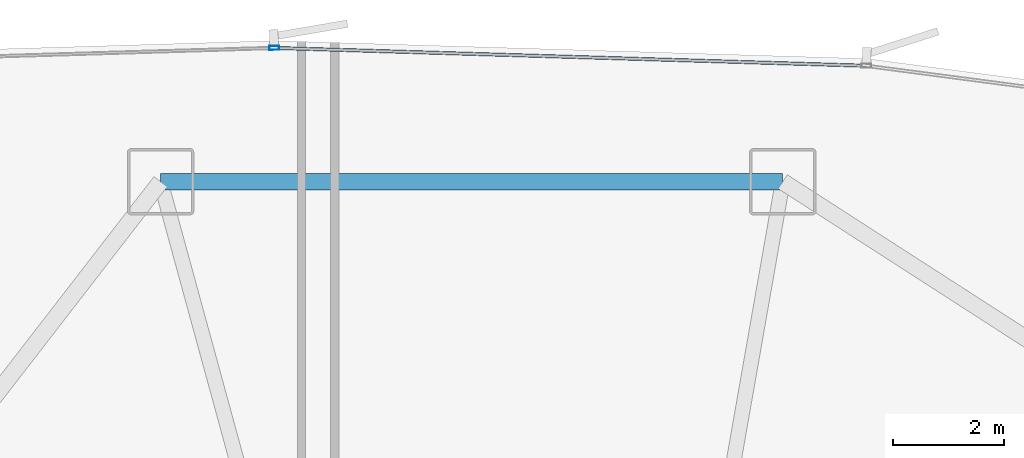
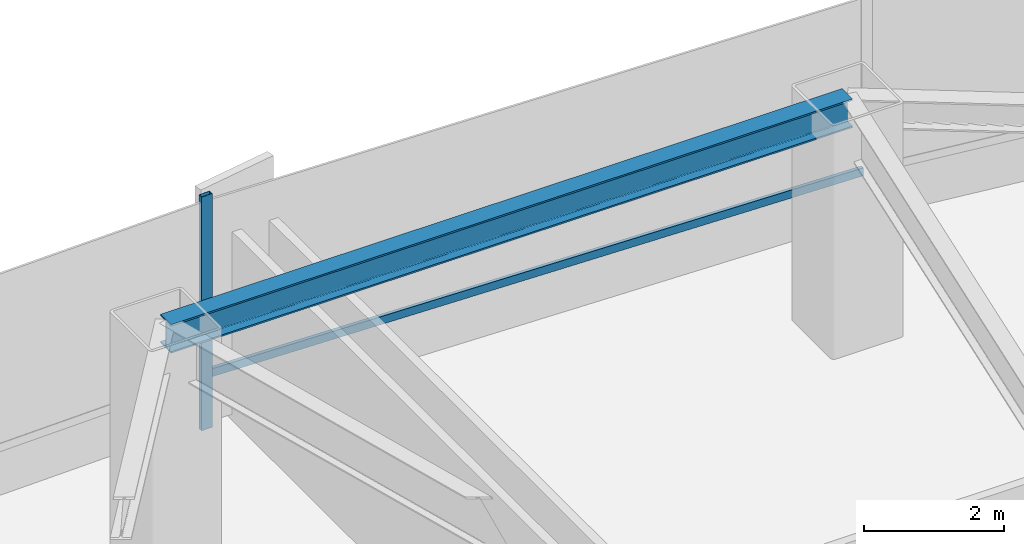
# One storey, part 14 of 34: 2 members, 1 beam, 1 element without a shape of its own.
"""IFC4 building model written with IfcOpenShell, lengths in metres."""

import ifcopenshell
import ifcopenshell.guid

model = None  # the IFC model being written
_history = None  # IfcOwnerHistory: only IFC2X3 demands one
_inside = {}  # id of a spatial element -> (the spatial element, [elements in it])
_under = {}  # id of a project, library or spatial element -> (it, [spatial elements below it])
_declared = {}  # id of a project -> (the project, [libraries it declares])
_typed = {}  # id of a type object -> (the type object, [elements of that type])
_made_of = {}  # id of a material, layer set ... -> (it, [elements and type objects made of it])


def new_model(schema):
    """Start an empty IFC model of exactly this schema.

    Asked for "IFC4X3", IfcOpenShell would pick the latest addendum, in which some entities
    have other attributes; the version numbers below select the first issue.
    IFC2X3 requires an IfcOwnerHistory on every rooted entity: one is made here for all.
    """
    global model, _history
    if schema == "IFC4X3":
        model = ifcopenshell.file(schema_version=(4, 3, 0, 0))
    else:
        model = ifcopenshell.file(schema=schema)
    _inside.clear()
    _under.clear()
    _declared.clear()
    _typed.clear()
    _made_of.clear()
    _history = None
    if model.schema == "IFC2X3":
        org = make("IfcOrganization", Name="unknown")
        user = make(
            "IfcPersonAndOrganization",
            ThePerson=make("IfcPerson", FamilyName="unknown"),
            TheOrganization=org,
        )
        app = make(
            "IfcApplication",
            ApplicationDeveloper=org,
            Version="unknown",
            ApplicationFullName="unknown",
            ApplicationIdentifier="unknown",
        )
        _history = make(
            "IfcOwnerHistory",
            OwningUser=user,
            OwningApplication=app,
            ChangeAction="ADDED",
            CreationDate=0,
        )
    return model


def make(cls, **values):
    """One entity of the class cls with the attributes given. An attribute that is None is left unset."""
    return model.create_entity(
        cls, **{name: value for name, value in values.items() if value is not None}
    )


def rooted(cls, **values):
    """An entity with a GlobalId (a new one), such as an element, a storey or a relation."""
    return make(cls, GlobalId=ifcopenshell.guid.new(), OwnerHistory=_history, **values)


def si_unit(unit_type, name, prefix=None):
    """IfcSIUnit, for example si_unit("LENGTHUNIT", "METRE", prefix="MILLI")."""
    return make("IfcSIUnit", UnitType=unit_type, Prefix=prefix, Name=name)


def assignment(units):
    """IfcUnitAssignment: the units of a project."""
    return None if units is None else make("IfcUnitAssignment", Units=units)


def point(xyz):
    """IfcCartesianPoint."""
    return None if xyz is None else make("IfcCartesianPoint", Coordinates=xyz)


def direction(xyz):
    """IfcDirection."""
    return None if xyz is None else make("IfcDirection", DirectionRatios=xyz)


def frame(location, z_axis=None, x_axis=None):
    """IfcAxis2Placement3D, a coordinate frame: its origin and axes. An axis left out is left unset."""
    return make(
        "IfcAxis2Placement3D",
        Location=point(location),
        Axis=direction(z_axis),
        RefDirection=direction(x_axis),
    )


def frame_2d(location, x_axis=None):
    """IfcAxis2Placement2D, a coordinate frame in the plane: its origin and x axis."""
    return make(
        "IfcAxis2Placement2D", Location=point(location), RefDirection=direction(x_axis)
    )


def origin():
    """The frame at (0, 0, 0) with its axes left unset."""
    return frame((0.0, 0.0, 0.0))


def origin_2d():
    """The frame at (0, 0) in the plane with its x axis left unset."""
    return frame_2d((0.0, 0.0))


def place(relative_to, where):
    """IfcLocalPlacement: puts the frame where relative to a parent placement (None: the world)."""
    return make(
        "IfcLocalPlacement", PlacementRelTo=relative_to, RelativePlacement=where
    )


def context(
    kind, dimensions, precision=None, world=None, true_north=None, identifier=None
):
    """IfcGeometricRepresentationContext, for example the 3D "Model" context."""
    return make(
        "IfcGeometricRepresentationContext",
        ContextIdentifier=identifier,
        ContextType=kind,
        CoordinateSpaceDimension=dimensions,
        Precision=precision,
        WorldCoordinateSystem=world,
        TrueNorth=true_north,
    )


def subcontext(parent, identifier, kind, view, scale=None):
    """IfcGeometricRepresentationSubContext, for example "Body" below "Model"."""
    return make(
        "IfcGeometricRepresentationSubContext",
        ContextIdentifier=identifier,
        ContextType=kind,
        ParentContext=parent,
        TargetScale=scale,
        TargetView=view,
    )


def project(units=None, contexts=None):
    """IfcProject with its units and contexts."""
    return rooted(
        "IfcProject",
        Name="project",
        RepresentationContexts=contexts,
        UnitsInContext=assignment(units),
    )


def spatial(cls, under=None, at=None, **own):
    """A site, building, storey or space (cls), placed at a placement, below another one or the project."""
    s = rooted(cls, ObjectPlacement=at, **own)
    if under is not None:
        _under.setdefault(under.id(), (under, []))[1].append(s)
    return s


def profile(cls, at=None, kind="AREA", **sizes):
    """A parametric profile (cls). Its sizes go by their IFC names, for example OverallWidth=200.0."""
    return make(cls, ProfileType=kind, Position=at, **sizes)


def hollow_rectangle(**sizes):
    """IfcRectangleHollowProfileDef."""
    return profile("IfcRectangleHollowProfileDef", **sizes)


def i_section(**sizes):
    """IfcIShapeProfileDef."""
    return profile("IfcIShapeProfileDef", **sizes)


def extrude(swept, where, along, depth):
    """IfcExtrudedAreaSolid: the profile swept, set in the frame where, extruded along a direction by depth."""
    return make(
        "IfcExtrudedAreaSolid",
        SweptArea=swept,
        Position=where,
        ExtrudedDirection=direction(along),
        Depth=depth,
    )


def shape(context_of_items, identifier, shape_type, items):
    """IfcShapeRepresentation: the items that make up one representation, for example the "Body"."""
    return make(
        "IfcShapeRepresentation",
        ContextOfItems=context_of_items,
        RepresentationIdentifier=identifier,
        RepresentationType=shape_type,
        Items=items,
    )


def source(mapping_origin, context_of_items, identifier, shape_type, items):
    """IfcRepresentationMap: a shape defined once, which mapped items show again and again."""
    return make(
        "IfcRepresentationMap",
        MappingOrigin=mapping_origin,
        MappedRepresentation=shape(context_of_items, identifier, shape_type, items),
    )


def transform(
    local_origin,
    x_axis=None,
    y_axis=None,
    z_axis=None,
    scale=None,
    scale2=None,
    scale3=None,
    uniform=True,
):
    """IfcCartesianTransformationOperator3D, or its non-uniform kind. x_axis, y_axis, z_axis: its Axis1, 2, 3."""
    if uniform:
        return make(
            "IfcCartesianTransformationOperator3D",
            Axis1=direction(x_axis),
            Axis2=direction(y_axis),
            LocalOrigin=point(local_origin),
            Scale=scale,
            Axis3=direction(z_axis),
        )
    return make(
        "IfcCartesianTransformationOperator3DnonUniform",
        Axis1=direction(x_axis),
        Axis2=direction(y_axis),
        LocalOrigin=point(local_origin),
        Scale=scale,
        Axis3=direction(z_axis),
        Scale2=scale2,
        Scale3=scale3,
    )


def mapped(mapping_source, mapping_target):
    """IfcMappedItem: shows the shape of a source again, moved by a transform."""
    return make(
        "IfcMappedItem", MappingSource=mapping_source, MappingTarget=mapping_target
    )


def material(Name=None, Category=None):
    """IfcMaterial."""
    return make("IfcMaterial", Name=Name, Category=Category)


def layer(
    of_material, thickness, ventilated=None, Name=None, Category=None, Priority=None
):
    """IfcMaterialLayer: one layer of a wall or slab, of a material (None: an air gap)."""
    return make(
        "IfcMaterialLayer",
        Material=of_material,
        LayerThickness=thickness,
        IsVentilated=ventilated,
        Name=Name,
        Category=Category,
        Priority=Priority,
    )


def layer_set(layers, Name=None):
    """IfcMaterialLayerSet."""
    return make("IfcMaterialLayerSet", MaterialLayers=layers, LayerSetName=Name)


def material_profile(
    of_material, cross_section, Name=None, Category=None, Priority=None
):
    """IfcMaterialProfile: a cross section and its material."""
    return make(
        "IfcMaterialProfile",
        Name=Name,
        Material=of_material,
        Profile=cross_section,
        Priority=Priority,
        Category=Category,
    )


def profile_set(profiles, Name=None, composite=None):
    """IfcMaterialProfileSet."""
    return make(
        "IfcMaterialProfileSet",
        Name=Name,
        MaterialProfiles=profiles,
        CompositeProfile=composite,
    )


def made_of(thing, what):
    """Note that an element or type object is made of a material, layer set ...; save() writes the relation."""
    if what is not None:
        _made_of.setdefault(what.id(), (what, []))[1].append(thing)
    return thing


def type_object(cls, material=None, **own):
    """A type object (cls), such as IfcWallType, which elements share."""
    return made_of(rooted(cls, **own), material)


def element(
    cls,
    number,
    at=None,
    inside=None,
    cuts=None,
    type_object=None,
    material=None,
    context=None,
    identifier="Body",
    shape_type=None,
    held_by="IfcProductDefinitionShape",
    body=None,
    shapes=None,
    **own,
):
    """One element of the class cls, such as IfcWall. Its Tag is "e" and its number.

    at: its placement. inside: the storey or other place that contains it. cuts: it is an
    opening in that element (IfcRelVoidsElement). A single representation is given by context,
    identifier, shape_type and body (its items); several are given by shapes. held_by: the class
    of the entity that holds the representations. save() writes the other relations.
    """
    e = rooted(cls, Tag="e%d" % number, ObjectPlacement=at, **own)
    if body is not None:
        shapes = [shape(context, identifier, shape_type, body)]
    if shapes is not None:
        e.Representation = make(held_by, Representations=shapes)
    if inside is not None:
        _inside.setdefault(inside.id(), (inside, []))[1].append(e)
    if cuts is not None:
        rooted(
            "IfcRelVoidsElement", RelatingBuildingElement=cuts, RelatedOpeningElement=e
        )
    if type_object is not None:
        _typed.setdefault(type_object.id(), (type_object, []))[1].append(e)
    return made_of(e, material)


def aggregate(whole, parts):
    """IfcRelAggregates: a whole, such as a stair, and the parts it consists of."""
    return rooted("IfcRelAggregates", RelatingObject=whole, RelatedObjects=parts)


def save(model, path):
    """Write the relations noted so far, then the file.

    IfcRelAggregates (storeys below a building ...), IfcRelContainedInSpatialStructure (elements
    in a storey), IfcRelDefinesByType, IfcRelAssociatesMaterial and IfcRelDeclares: one each for
    every whole, place, type object, material and project.
    """
    for whole, parts in _under.values():
        aggregate(whole, parts)
    for where, things in _inside.values():
        rooted(
            "IfcRelContainedInSpatialStructure",
            RelatedElements=things,
            RelatingStructure=where,
        )
    for kind, things in _typed.values():
        rooted("IfcRelDefinesByType", RelatedObjects=things, RelatingType=kind)
    for what, things in _made_of.values():
        rooted("IfcRelAssociatesMaterial", RelatedObjects=things, RelatingMaterial=what)
    for by, libraries in _declared.values():
        rooted("IfcRelDeclares", RelatingContext=by, RelatedDefinitions=libraries)
    model.write(path)


model = new_model("IFC4")

# Units and contexts
model_context = context("Model", 3, precision=1e-05, world=origin(), true_north=direction((0.0, 1.0)))
body_context = subcontext(model_context, "Body", "Model", "MODEL_VIEW")
ifc_project = project(units=[si_unit("LENGTHUNIT", "METRE"), si_unit("AREAUNIT", "SQUARE_METRE"), si_unit("VOLUMEUNIT", "CUBIC_METRE"), si_unit("PLANEANGLEUNIT", "RADIAN"), si_unit("MASSUNIT", "GRAM", prefix="KILO"), si_unit("THERMODYNAMICTEMPERATUREUNIT", "KELVIN")], contexts=[model_context])

# Site, building, storey
site_placement = place(None, origin())
site = spatial("IfcSite", under=ifc_project, at=site_placement, CompositionType="ELEMENT")
building_placement = place(site_placement, origin())
building = spatial("IfcBuilding", under=site, at=building_placement, Name="Kethvar Cultural Tower", CompositionType="ELEMENT")
storey_placement = place(building_placement, frame((0.0, 0.0, 19.60009765625)))
storey = spatial("IfcBuildingStorey", under=building, at=storey_placement, Name="L04", CompositionType="ELEMENT", Elevation=19.60009765625)

# Beam
ifc_material_1 = material(Name="Steel S355J2", Category="steel")
ifc_material_profile_1 = material_profile(ifc_material_1, i_section(OverallWidth=0.300048828125, OverallDepth=0.5, WebThickness=0.014404296875, FlangeThickness=0.028076171875, FilletRadius=0.027099609375, at=origin_2d()), Name="Steel S355J2 — HEB500")
ifc_profile_set_1 = profile_set([ifc_material_profile_1], Name="Steel S355J2 — HEB500")
beam_type = type_object("IfcBeamType", Name="BM-SP500", PredefinedType="SPANDREL", material=ifc_profile_set_1)
shared_shape_1 = source(origin(), body_context, "Body", "SweptSolid", [
    extrude(i_section(OverallWidth=0.300048828125, OverallDepth=0.5, WebThickness=0.014404296875, FlangeThickness=0.028076171875, FilletRadius=0.027099609375, at=origin_2d()), origin(), (0.0, 0.0, 1.0), 11.25),
])
beam_placement = place(storey_placement, frame((51.199951171875, 52.85009765625, 3.827880859375), z_axis=(-1.0, 0.0, 0.0), x_axis=(0.0, -1.0, 0.0)))
element("IfcBeam", 1, at=beam_placement, inside=storey, type_object=beam_type, Name="L04 Podium Ring Beam 04", PredefinedType="SPANDREL", context=body_context, shape_type="MappedRepresentation", body=[
    mapped(shared_shape_1, transform((0.0, 0.0, 0.0), scale=1.0)),
])

# Curtain wall, members
ifc_material_2 = material(Name="Aluminium 6063-T6", Category="aluminium")
ifc_layer = layer(ifc_material_2, 0.179931640625, Name="Aluminium 6063-T6", Category="aluminium")
ifc_layer_set = layer_set([ifc_layer], Name="Aluminium 6063-T6 (180 mm)")
curtain_wall_type = type_object("IfcCurtainWallType", Name="CW-SYS-01-POD", PredefinedType="NOTDEFINED", material=ifc_layer_set)
curtain_wall_placement = place(storey_placement, origin())
curtain_wall = element("IfcCurtainWall", 2, at=curtain_wall_placement, inside=storey, type_object=curtain_wall_type, Name="L04 Curtain Wall Run 02", PredefinedType="NOTDEFINED")
ifc_material_profile_2 = material_profile(ifc_material_2, hollow_rectangle(XDim=0.06005859375, YDim=0.139892578125, WallThickness=0.0048828125, at=origin_2d()), Name="Aluminium 6063-T6 — RHS140x60x5")
ifc_profile_set_2 = profile_set([ifc_material_profile_2], Name="Aluminium 6063-T6 — RHS140x60x5")
member_type_1 = type_object("IfcMemberType", Name="CW-SYS-01-POD-TRN", PredefinedType="USERDEFINED", material=ifc_profile_set_2)
shared_shape_2 = source(origin(), body_context, "Body", "SweptSolid", [
    extrude(hollow_rectangle(XDim=0.06005859375, YDim=0.139892578125, WallThickness=0.0048828125, at=origin_2d()), origin(), (0.0, 0.0, 1.0), 10.61279296875),
])
member_1_placement = place(storey_placement, frame((52.657958984375, 54.948486328125, 0.949951171875), z_axis=(-0.999545810513, 0.030135903608, 0.0), x_axis=(-0.030135903608, -0.999545810513, 0.0)))
member_1 = element("IfcMember", 3, at=member_1_placement, type_object=member_type_1, Name="CW-L04-R02 Transom 3", ObjectType="TRANSOM", PredefinedType="USERDEFINED", context=body_context, shape_type="MappedRepresentation", body=[
    mapped(shared_shape_2, transform((0.0, 0.0, 0.0), scale=1.0)),
])
ifc_material_profile_3 = material_profile(ifc_material_2, hollow_rectangle(XDim=0.074951171875, YDim=0.179931640625, WallThickness=0.006103515625, at=origin_2d()), Name="Aluminium 6063-T6 — RHS180x75x6")
ifc_profile_set_3 = profile_set([ifc_material_profile_3], Name="Aluminium 6063-T6 — RHS180x75x6")
member_type_2 = type_object("IfcMemberType", Name="CW-SYS-01-POD-MUL", PredefinedType="MULLION", material=ifc_profile_set_3)
shared_shape_3 = source(origin(), body_context, "Body", "SweptSolid", [
    extrude(hollow_rectangle(XDim=0.074951171875, YDim=0.179931640625, WallThickness=0.006103515625, at=origin_2d()), origin(), (0.0, 0.0, 1.0), 4.079833984375),
])
member_2_placement = place(storey_placement, frame((42.00390625, 55.27001953125, 0.0), z_axis=(0.0, 0.0, 1.0), x_axis=(0.030137272261, -0.999545769248, 0.0)))
member_2 = element("IfcMember", 4, at=member_2_placement, type_object=member_type_2, Name="CW-L04-R02 Mullion 4", PredefinedType="MULLION", context=body_context, shape_type="MappedRepresentation", body=[
    mapped(shared_shape_3, transform((0.0, 0.0, 0.0), scale=1.0)),
])
aggregate(curtain_wall, [member_2, member_1])

save(model, "model.ifc")
